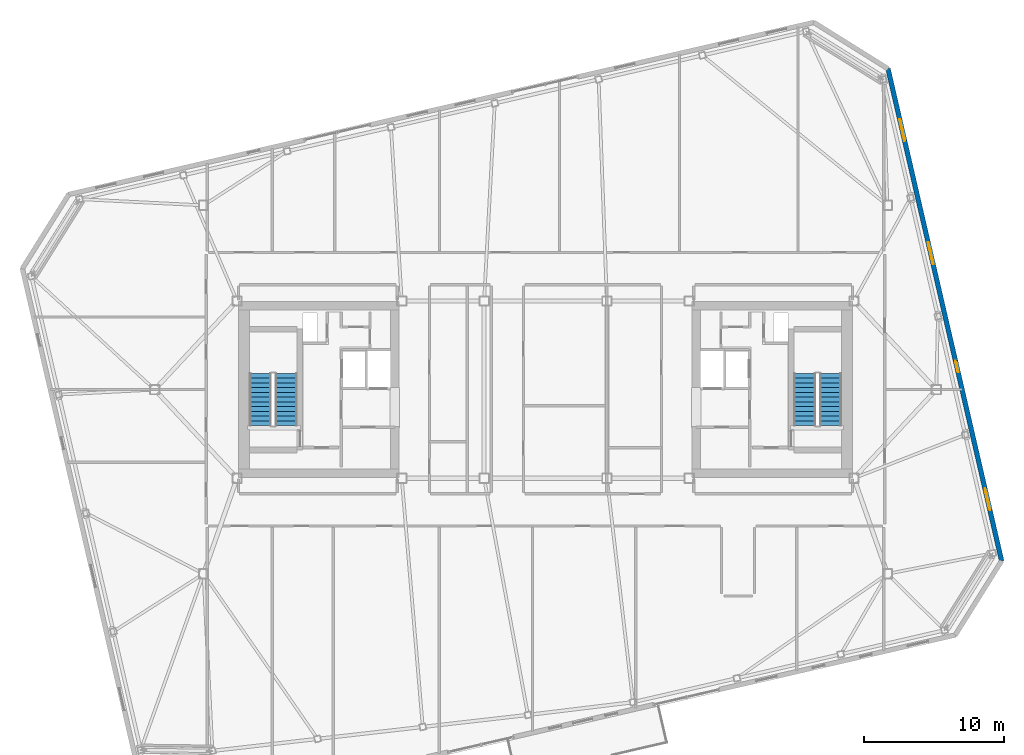
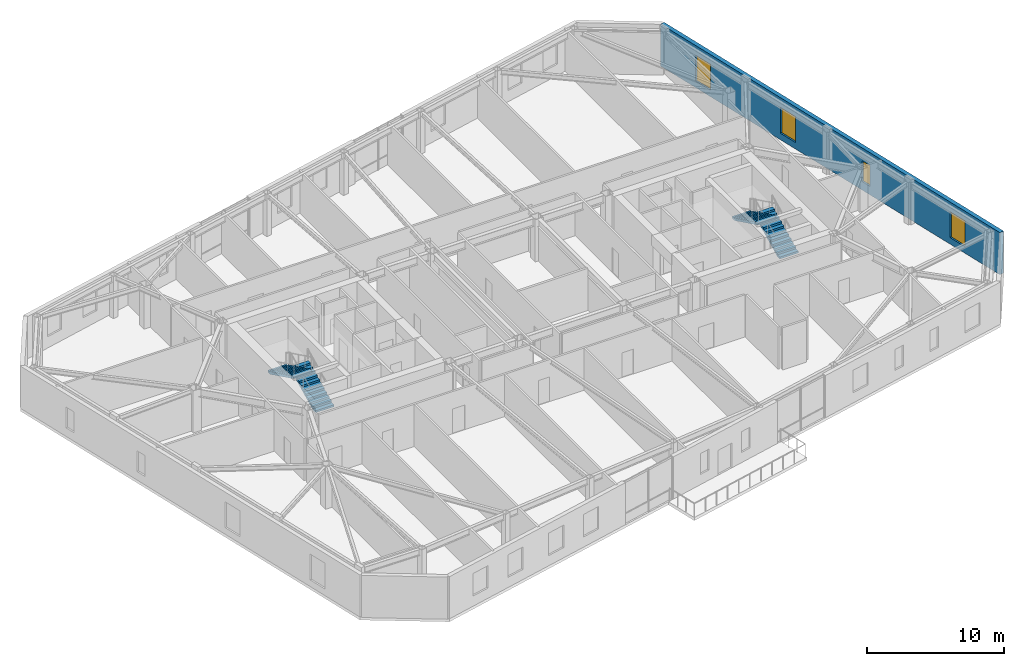
# One storey, part 20 of 24: 4 stair flights, 4 windows, 1 wall, 4 openings, 2 elements without a shape of their own.
"""IFC4 building model written with IfcOpenShell, lengths in metres."""

from ifc_helpers import new_model, si_unit, direction, frame, frame_2d, origin, place, context, subcontext, project, spatial, polyline, rectangle, outline, extrude, material, layer, layer_set, type_object, element, fill, aggregate, save


model = new_model("IFC4")

# Units and contexts
model_context = context("Model", 3, precision=1e-05, world=origin(), true_north=direction((0.0, 1.0)))
body_context = subcontext(model_context, "Body", "Model", "MODEL_VIEW")
ifc_project = project(units=[si_unit("LENGTHUNIT", "METRE"), si_unit("AREAUNIT", "SQUARE_METRE"), si_unit("VOLUMEUNIT", "CUBIC_METRE"), si_unit("PLANEANGLEUNIT", "RADIAN"), si_unit("MASSUNIT", "GRAM", prefix="KILO")], contexts=[model_context])

# Site, building, storey
site_placement = place(None, origin())
site = spatial("IfcSite", under=ifc_project, at=site_placement, CompositionType="ELEMENT")
building_placement = place(site_placement, origin())
building = spatial("IfcBuilding", under=site, at=building_placement, Name="Tavrogorsk Clinical Tower", CompositionType="ELEMENT")
storey_placement = place(building_placement, frame((0.0, 0.0, 325.0)))
storey = spatial("IfcBuildingStorey", under=building, at=storey_placement, Name="L76", CompositionType="ELEMENT", Elevation=325.0)

# Wall, openings, windows
ifc_material_1 = material(Name="Precast concrete B45 with limestone cladding", Category="masonry")
ifc_layer = layer(ifc_material_1, 0.340087890625)
ifc_layer_set = layer_set([ifc_layer], Name="Precast concrete B45 with limestone cladding")
wall_type = type_object("IfcWallType", Name="PrecastLimestoneWall_340", PredefinedType="STANDARD", material=ifc_layer_set)
wall_placement = place(storey_placement, frame((32.685791015625, -12.27587890625, 0.0), z_axis=(0.0, 0.0, 1.0), x_axis=(-0.224953091034, 0.974369594576, 0.0)))
wall = element("IfcWall", 1, at=wall_placement, inside=storey, type_object=wall_type, Name="L76 E Pleated Limestone Wing Wall", PredefinedType="STANDARD", context=body_context, shape_type="SweptSolid", body=[
    extrude(rectangle(XDim=36.199951171875, YDim=0.340087890625, at=frame_2d((18.10009765625, 0.0))), origin(), (0.0, 0.0, 1.0), 3.739990234375),
])
opening_1_placement = place(wall_placement, frame((3.72509765625, 0.0, 0.580078125)))
opening_1 = element("IfcOpeningElement", 2, at=opening_1_placement, cuts=wall, Name="Opening WN-07", PredefinedType="OPENING", context=body_context, shape_type="SweptSolid", body=[
    extrude(rectangle(XDim=1.60009765625, YDim=2.300048828125, at=frame_2d((0.800048828125, 1.14990234375))), frame((0.0, 0.179931640625, 0.0), z_axis=(0.0, -1.0, 0.0), x_axis=(1.0, 0.0, 0.0)), (0.0, 0.0, 1.0), 0.360107421875),
])
opening_2_placement = place(wall_placement, frame((13.875, 0.0, 0.75)))
opening_2 = element("IfcOpeningElement", 3, at=opening_2_placement, cuts=wall, Name="Opening WN-06", PredefinedType="OPENING", context=body_context, shape_type="SweptSolid", body=[
    extrude(rectangle(XDim=0.85009765625, YDim=1.85009765625, at=frame_2d((0.425048828125, 0.925048828125))), frame((0.0, 0.179931640625, 0.0), z_axis=(0.0, -1.0, 0.0), x_axis=(1.0, 0.0, 0.0)), (0.0, 0.0, 1.0), 0.360107421875),
])
opening_3_placement = place(wall_placement, frame((21.824951171875, 0.0, 0.580078125)))
opening_3 = element("IfcOpeningElement", 4, at=opening_3_placement, cuts=wall, Name="Opening WN-07", PredefinedType="OPENING", context=body_context, shape_type="SweptSolid", body=[
    extrude(rectangle(XDim=1.60009765625, YDim=2.300048828125, at=frame_2d((0.800048828125, 1.14990234375))), frame((0.0, 0.179931640625, 0.0), z_axis=(0.0, -1.0, 0.0), x_axis=(1.0, 0.0, 0.0)), (0.0, 0.0, 1.0), 0.360107421875),
])
opening_4_placement = place(wall_placement, frame((30.875, 0.0, 0.580078125)))
opening_4 = element("IfcOpeningElement", 5, at=opening_4_placement, cuts=wall, Name="Opening WN-07", PredefinedType="OPENING", context=body_context, shape_type="SweptSolid", body=[
    extrude(rectangle(XDim=1.60009765625, YDim=2.300048828125, at=frame_2d((0.800048828125, 1.14990234375))), frame((0.0, 0.179931640625, 0.0), z_axis=(0.0, -1.0, 0.0), x_axis=(1.0, 0.0, 0.0)), (0.0, 0.0, 1.0), 0.360107421875),
])
ifc_material_2 = material(Name="Thermally broken aluminium frame and triple IGU", Category="aluminium")
window_type_1 = type_object("IfcWindowType", Name="MullionSubWin_850x1850", PartitioningType="SINGLE_PANEL", PredefinedType="WINDOW", material=ifc_material_2)
window_1_placement = place(opening_2_placement, origin())
window_1 = element("IfcWindow", 6, at=window_1_placement, inside=storey, type_object=window_type_1, Name="L76 E Pleat Mullion Window 2B", OverallHeight=1.85009765625, OverallWidth=0.85009765625, PartitioningType="SINGLE_PANEL", PredefinedType="WINDOW", context=body_context, shape_type="SweptSolid", body=[
    extrude(rectangle(XDim=0.85009765625, YDim=1.85009765625, at=frame_2d((0.425048828125, 0.925048828125))), frame((0.0, 0.030029296875, 0.0), z_axis=(0.0, -1.0, 0.0), x_axis=(1.0, 0.0, 0.0)), (0.0, 0.0, 1.0), 0.06005859375),
])
fill(opening_2, window_1)
ifc_material_3 = material(Name="Thermally broken aluminium frame and triple IGU", Category="aluminium")
window_type_2 = type_object("IfcWindowType", Name="PleatSlotWin_1600x2300", PartitioningType="SINGLE_PANEL", PredefinedType="WINDOW", material=ifc_material_3)
window_2_placement = place(opening_1_placement, origin())
window_2 = element("IfcWindow", 7, at=window_2_placement, inside=storey, type_object=window_type_2, Name="L76 E Pleat Slot Window 1", OverallHeight=2.300048828125, OverallWidth=1.60009765625, PartitioningType="SINGLE_PANEL", PredefinedType="WINDOW", context=body_context, shape_type="SweptSolid", body=[
    extrude(rectangle(XDim=1.60009765625, YDim=2.300048828125, at=frame_2d((0.800048828125, 1.14990234375))), frame((0.0, 0.030029296875, 0.0), z_axis=(0.0, -1.0, 0.0), x_axis=(1.0, 0.0, 0.0)), (0.0, 0.0, 1.0), 0.06005859375),
])
fill(opening_1, window_2)
window_3_placement = place(opening_3_placement, origin())
window_3 = element("IfcWindow", 8, at=window_3_placement, inside=storey, type_object=window_type_2, Name="L76 E Pleat Slot Window 3", OverallHeight=2.300048828125, OverallWidth=1.60009765625, PartitioningType="SINGLE_PANEL", PredefinedType="WINDOW", context=body_context, shape_type="SweptSolid", body=[
    extrude(rectangle(XDim=1.60009765625, YDim=2.300048828125, at=frame_2d((0.800048828125, 1.14990234375))), frame((0.0, 0.030029296875, 0.0), z_axis=(0.0, -1.0, 0.0), x_axis=(1.0, 0.0, 0.0)), (0.0, 0.0, 1.0), 0.06005859375),
])
fill(opening_3, window_3)
window_4_placement = place(opening_4_placement, origin())
window_4 = element("IfcWindow", 9, at=window_4_placement, inside=storey, type_object=window_type_2, Name="L76 E Pleat Slot Window 4", OverallHeight=2.300048828125, OverallWidth=1.60009765625, PartitioningType="SINGLE_PANEL", PredefinedType="WINDOW", context=body_context, shape_type="SweptSolid", body=[
    extrude(rectangle(XDim=1.60009765625, YDim=2.300048828125, at=frame_2d((0.800048828125, 1.14990234375))), frame((0.0, 0.030029296875, 0.0), z_axis=(0.0, -1.0, 0.0), x_axis=(1.0, 0.0, 0.0)), (0.0, 0.0, 1.0), 0.06005859375),
])
fill(opening_4, window_4)

# Stair, stair flights
ifc_material_4 = material(Name="Concrete B60", Category="concrete")
stair_type = type_object("IfcStairType", Name="CoreStairAssembly", PredefinedType="HALF_TURN_STAIR", material=ifc_material_4)
stair_1_placement = place(storey_placement, origin())
stair_1 = element("IfcStair", 10, at=stair_1_placement, inside=storey, type_object=stair_type, Name="L76 ST-W", PredefinedType="HALF_TURN_STAIR")
ifc_material_5 = material(Name="Concrete B60", Category="concrete")
stair_flight_type = type_object("IfcStairFlightType", Name="CoreStairFlight", PredefinedType="STRAIGHT", material=ifc_material_5)
stair_flight_1_placement = place(storey_placement, frame((-18.574951171875, -2.574951171875, 0.0), z_axis=(0.0, 0.0, 1.0), x_axis=(0.0, 1.0, 0.0)))
stair_flight_1 = element("IfcStairFlight", 11, at=stair_flight_1_placement, type_object=stair_flight_type, Name="ST-W flight 1", NumberOfRisers=12, NumberOfTreads=11, PredefinedType="STRAIGHT", RiserHeight=0.166666667, TreadLength=0.34, context=body_context, shape_type="SweptSolid", body=[
    extrude(outline(polyline([(0.0, 0.0), (0.0, 0.166748046875), (0.340087890625, 0.166748046875), (0.340087890625, 0.333251953125), (0.679931640625, 0.333251953125), (0.679931640625, 0.5), (1.02001953125, 0.5), (1.02001953125, 0.666748046875), (1.360107421875, 0.666748046875), (1.360107421875, 0.833251953125), (1.699951171875, 0.833251953125), (1.699951171875, 1.0), (2.0400390625, 1.0), (2.0400390625, 1.166748046875), (2.3798828125, 1.166748046875), (2.3798828125, 1.333251953125), (2.719970703125, 1.333251953125), (2.719970703125, 1.5), (3.06005859375, 1.5), (3.06005859375, 1.666748046875), (3.39990234375, 1.666748046875), (3.39990234375, 1.833251953125), (3.739990234375, 1.833251953125), (3.739990234375, 2.0), (3.739990234375, 1.66650390625), (0.340576171875, 0.0), (0.0, 0.0)])), frame((0.0, 0.77490234375, 0.0), z_axis=(0.0, -1.0, 0.0), x_axis=(1.0, 0.0, 0.0)), (0.0, 0.0, 1.0), 1.550048828125),
])
stair_flight_2_placement = place(storey_placement, frame((-20.425048828125, 1.1650390625, 2.0), z_axis=(0.0, 0.0, 1.0), x_axis=(0.0, -1.0, 0.0)))
stair_flight_2 = element("IfcStairFlight", 12, at=stair_flight_2_placement, type_object=stair_flight_type, Name="ST-W flight 2", NumberOfRisers=12, NumberOfTreads=11, PredefinedType="STRAIGHT", RiserHeight=0.166666667, TreadLength=0.34, context=body_context, shape_type="SweptSolid", body=[
    extrude(outline(polyline([(0.0, 0.0), (0.0, 0.166748046875), (0.340087890625, 0.166748046875), (0.340087890625, 0.333251953125), (0.679931640625, 0.333251953125), (0.679931640625, 0.5), (1.02001953125, 0.5), (1.02001953125, 0.666748046875), (1.360107421875, 0.666748046875), (1.360107421875, 0.833251953125), (1.699951171875, 0.833251953125), (1.699951171875, 1.0), (2.0400390625, 1.0), (2.0400390625, 1.166748046875), (2.3798828125, 1.166748046875), (2.3798828125, 1.333251953125), (2.719970703125, 1.333251953125), (2.719970703125, 1.5), (3.06005859375, 1.5), (3.06005859375, 1.666748046875), (3.39990234375, 1.666748046875), (3.39990234375, 1.833251953125), (3.739990234375, 1.833251953125), (3.739990234375, 2.0), (3.739990234375, 1.66650390625), (0.340576171875, 0.0), (0.0, 0.0)])), frame((0.0, 0.77490234375, 0.0), z_axis=(0.0, -1.0, 0.0), x_axis=(1.0, 0.0, 0.0)), (0.0, 0.0, 1.0), 1.550048828125),
])
aggregate(stair_1, [stair_flight_1, stair_flight_2])

stair_2_placement = place(storey_placement, origin())
stair_2 = element("IfcStair", 13, at=stair_2_placement, inside=storey, type_object=stair_type, Name="L76 ST-E", PredefinedType="HALF_TURN_STAIR")
stair_flight_3_placement = place(storey_placement, frame((20.425048828125, -2.574951171875, 0.0), z_axis=(0.0, 0.0, 1.0), x_axis=(0.0, 1.0, 0.0)))
stair_flight_3 = element("IfcStairFlight", 14, at=stair_flight_3_placement, type_object=stair_flight_type, Name="ST-E flight 1", NumberOfRisers=12, NumberOfTreads=11, PredefinedType="STRAIGHT", RiserHeight=0.166666667, TreadLength=0.34, context=body_context, shape_type="SweptSolid", body=[
    extrude(outline(polyline([(0.0, 0.0), (0.0, 0.166748046875), (0.340087890625, 0.166748046875), (0.340087890625, 0.333251953125), (0.679931640625, 0.333251953125), (0.679931640625, 0.5), (1.02001953125, 0.5), (1.02001953125, 0.666748046875), (1.360107421875, 0.666748046875), (1.360107421875, 0.833251953125), (1.699951171875, 0.833251953125), (1.699951171875, 1.0), (2.0400390625, 1.0), (2.0400390625, 1.166748046875), (2.3798828125, 1.166748046875), (2.3798828125, 1.333251953125), (2.719970703125, 1.333251953125), (2.719970703125, 1.5), (3.06005859375, 1.5), (3.06005859375, 1.666748046875), (3.39990234375, 1.666748046875), (3.39990234375, 1.833251953125), (3.739990234375, 1.833251953125), (3.739990234375, 2.0), (3.739990234375, 1.66650390625), (0.340576171875, 0.0), (0.0, 0.0)])), frame((0.0, 0.77490234375, 0.0), z_axis=(0.0, -1.0, 0.0), x_axis=(1.0, 0.0, 0.0)), (0.0, 0.0, 1.0), 1.550048828125),
])
stair_flight_4_placement = place(storey_placement, frame((18.574951171875, 1.1650390625, 2.0), z_axis=(0.0, 0.0, 1.0), x_axis=(0.0, -1.0, 0.0)))
stair_flight_4 = element("IfcStairFlight", 15, at=stair_flight_4_placement, type_object=stair_flight_type, Name="ST-E flight 2", NumberOfRisers=12, NumberOfTreads=11, PredefinedType="STRAIGHT", RiserHeight=0.166666667, TreadLength=0.34, context=body_context, shape_type="SweptSolid", body=[
    extrude(outline(polyline([(0.0, 0.0), (0.0, 0.166748046875), (0.340087890625, 0.166748046875), (0.340087890625, 0.333251953125), (0.679931640625, 0.333251953125), (0.679931640625, 0.5), (1.02001953125, 0.5), (1.02001953125, 0.666748046875), (1.360107421875, 0.666748046875), (1.360107421875, 0.833251953125), (1.699951171875, 0.833251953125), (1.699951171875, 1.0), (2.0400390625, 1.0), (2.0400390625, 1.166748046875), (2.3798828125, 1.166748046875), (2.3798828125, 1.333251953125), (2.719970703125, 1.333251953125), (2.719970703125, 1.5), (3.06005859375, 1.5), (3.06005859375, 1.666748046875), (3.39990234375, 1.666748046875), (3.39990234375, 1.833251953125), (3.739990234375, 1.833251953125), (3.739990234375, 2.0), (3.739990234375, 1.66650390625), (0.340576171875, 0.0), (0.0, 0.0)])), frame((0.0, 0.77490234375, 0.0), z_axis=(0.0, -1.0, 0.0), x_axis=(1.0, 0.0, 0.0)), (0.0, 0.0, 1.0), 1.550048828125),
])
aggregate(stair_2, [stair_flight_3, stair_flight_4])

save(model, "model.ifc")
